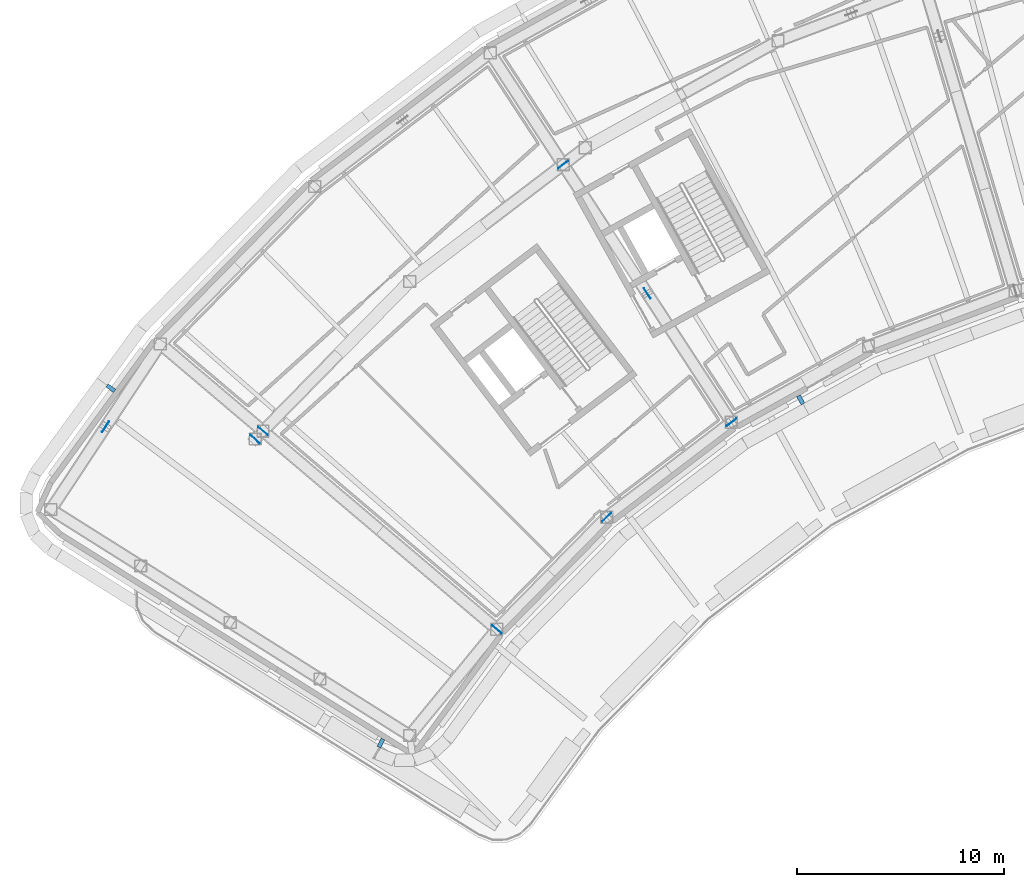
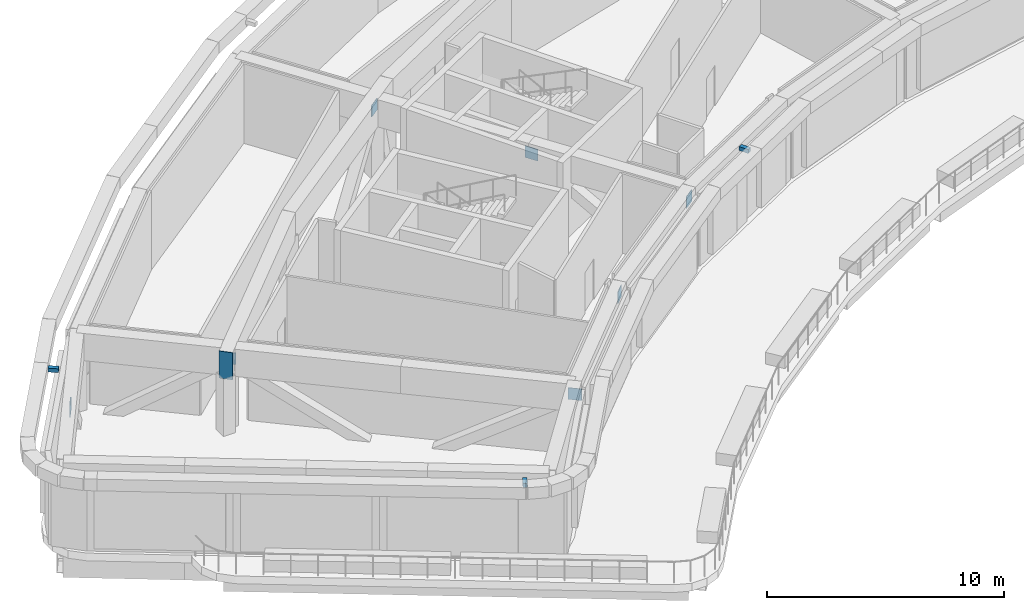
# One storey, part 13 of 24: 11 discrete accessories.
"""IFC4 building model written with IfcOpenShell, lengths in metres."""

from ifc_helpers import new_model, si_unit, direction, frame, origin, origin_2d, place, context, subcontext, project, spatial, rectangle, extrude, material, type_object, element, save


model = new_model("IFC4")

# Units and contexts
model_context = context("Model", 3, precision=1e-05, world=origin(), true_north=direction((0.0, 1.0)))
body_context = subcontext(model_context, "Body", "Model", "MODEL_VIEW")
ifc_project = project(units=[si_unit("LENGTHUNIT", "METRE"), si_unit("AREAUNIT", "SQUARE_METRE"), si_unit("VOLUMEUNIT", "CUBIC_METRE"), si_unit("PLANEANGLEUNIT", "RADIAN"), si_unit("MASSUNIT", "GRAM", prefix="KILO")], contexts=[model_context])

# Site, building, storey
site_placement = place(None, origin())
site = spatial("IfcSite", under=ifc_project, at=site_placement, CompositionType="ELEMENT")
building_placement = place(site_placement, origin())
building = spatial("IfcBuilding", under=site, at=building_placement, Name="Tuul Gate Civic Tower", CompositionType="ELEMENT")
storey_placement = place(building_placement, frame((0.0, 0.0, 315.199951171875)))
storey = spatial("IfcBuildingStorey", under=building, at=storey_placement, Name="Plant and refuge floor 7", CompositionType="ELEMENT", Elevation=315.199951171875)

# Discrete accessories
ifc_material_1 = material(Name="Steel S355", Category="steel")
discrete_accessory_type_1 = type_object("IfcDiscreteAccessoryType", Name="End cap plate", PredefinedType="BRACKET", material=ifc_material_1)
discrete_accessory_1_placement = place(storey_placement, frame((-49.594482421875, -16.894775390625, 2.7001953125), z_axis=(0.0, 0.0, 1.0), x_axis=(-0.700047997827, -0.71409579241, 0.0)))
element("IfcDiscreteAccessory", 1, at=discrete_accessory_1_placement, inside=storey, type_object=discrete_accessory_type_1, Name="End cap plate", PredefinedType="BRACKET", context=body_context, shape_type="SweptSolid", body=[
    extrude(rectangle(XDim=0.030029296875, YDim=0.60009765625, at=origin_2d()), origin(), (0.0, 0.0, 1.0), 1.39990234375),
])
ifc_material_2 = material(Name="Steel S355", Category="steel")
discrete_accessory_type_2 = type_object("IfcDiscreteAccessoryType", Name="Gusset plate", PredefinedType="BRACKET", material=ifc_material_2)
for number, where, z_axis, x_axis, name in (
    (2, (-49.209228515625, -16.50146484375, 3.103759765625), (0.0, 0.0, 1.0), (-0.76282474496, 0.646605295738, 0.0), "Gusset plate"),
    (3, (-37.888427734375, -26.099609375, 3.103271484375), (0.0, 0.0, 1.0), (-0.76282474496, 0.646605295738, 0.0), "Gusset plate"),
    (4, (-30.607177734375, -9.839111328125, 3.1025390625), (0.0, 0.0, 1.0), (-0.546710516181, 0.837321689375, 0.0), "Gusset plate"),
    (5, (-34.6787109375, -3.6015625, 3.104248046875), (0.0, 0.0, 1.0), (0.795629478909, 0.605783568852, 0.0), "Gusset plate"),
    (6, (-56.82958984375, -16.2939453125, 3.103515625), (0.0, 0.0, 1.0), (0.551645433906, 0.834078722454, 0.0), "Gusset plate"),
    (7, (-32.5751953125, -20.6748046875, 3.103759765625), (0.0, 0.0, 1.0), (-0.699958144192, -0.714183867347, 0.0), "Gusset plate"),
    (8, (-26.53515625, -16.07568359375, 3.103759765625), (0.0, 0.0, 1.0), (-0.795616135693, -0.605801093284, 0.0), "Gusset plate"),
):
    element("IfcDiscreteAccessory", number, at=place(storey_placement, frame(where, z_axis=z_axis, x_axis=x_axis)), inside=storey, type_object=discrete_accessory_type_2, Name=name, PredefinedType="BRACKET", context=body_context, shape_type="SweptSolid", body=[
        extrude(rectangle(XDim=0.60009765625, YDim=0.030029296875, at=origin_2d()), origin(), (0.0, 0.0, 1.0), 0.60009765625),
    ])
ifc_material_3 = material(Name="Stainless steel", Category="steel")
discrete_accessory_type_3 = type_object("IfcDiscreteAccessoryType", Name="Screen bracket", PredefinedType="BRACKET", material=ifc_material_3)
discrete_accessory_2_placement = place(storey_placement, frame((-56.576171875, -14.4248046875, 4.05029296875), z_axis=(0.0, 0.0, 1.0), x_axis=(-0.802893433111, 0.596122583927, 0.0)))
element("IfcDiscreteAccessory", 9, at=discrete_accessory_2_placement, inside=storey, type_object=discrete_accessory_type_3, Name="Screen bracket 16", PredefinedType="BRACKET", context=body_context, shape_type="SweptSolid", body=[
    extrude(rectangle(XDim=0.449951171875, YDim=0.199951171875, at=origin_2d()), origin(), (0.0, 0.0, 1.0), 0.199951171875),
])
discrete_accessory_3_placement = place(storey_placement, frame((-43.500732421875, -31.607421875, 4.05029296875), z_axis=(0.0, 0.0, 1.0), x_axis=(-0.44884181103, -0.893611229043, 0.0)))
element("IfcDiscreteAccessory", 10, at=discrete_accessory_3_placement, inside=storey, type_object=discrete_accessory_type_3, Name="Screen bracket 19", PredefinedType="BRACKET", context=body_context, shape_type="SweptSolid", body=[
    extrude(rectangle(XDim=0.451904296875, YDim=0.199951171875, at=origin_2d()), origin(), (0.0, 0.0, 1.0), 0.199951171875),
])
discrete_accessory_4_placement = place(storey_placement, frame((-23.179443359375, -14.98828125, 4.05029296875), z_axis=(0.0, 0.0, 1.0), x_axis=(0.490458166846, -0.871464736277, 0.0)))
element("IfcDiscreteAccessory", 11, at=discrete_accessory_4_placement, inside=storey, type_object=discrete_accessory_type_3, Name="Screen bracket 22", PredefinedType="BRACKET", context=body_context, shape_type="SweptSolid", body=[
    extrude(rectangle(XDim=0.449951171875, YDim=0.199951171875, at=origin_2d()), origin(), (0.0, 0.0, 1.0), 0.199951171875),
])

save(model, "model.ifc")
